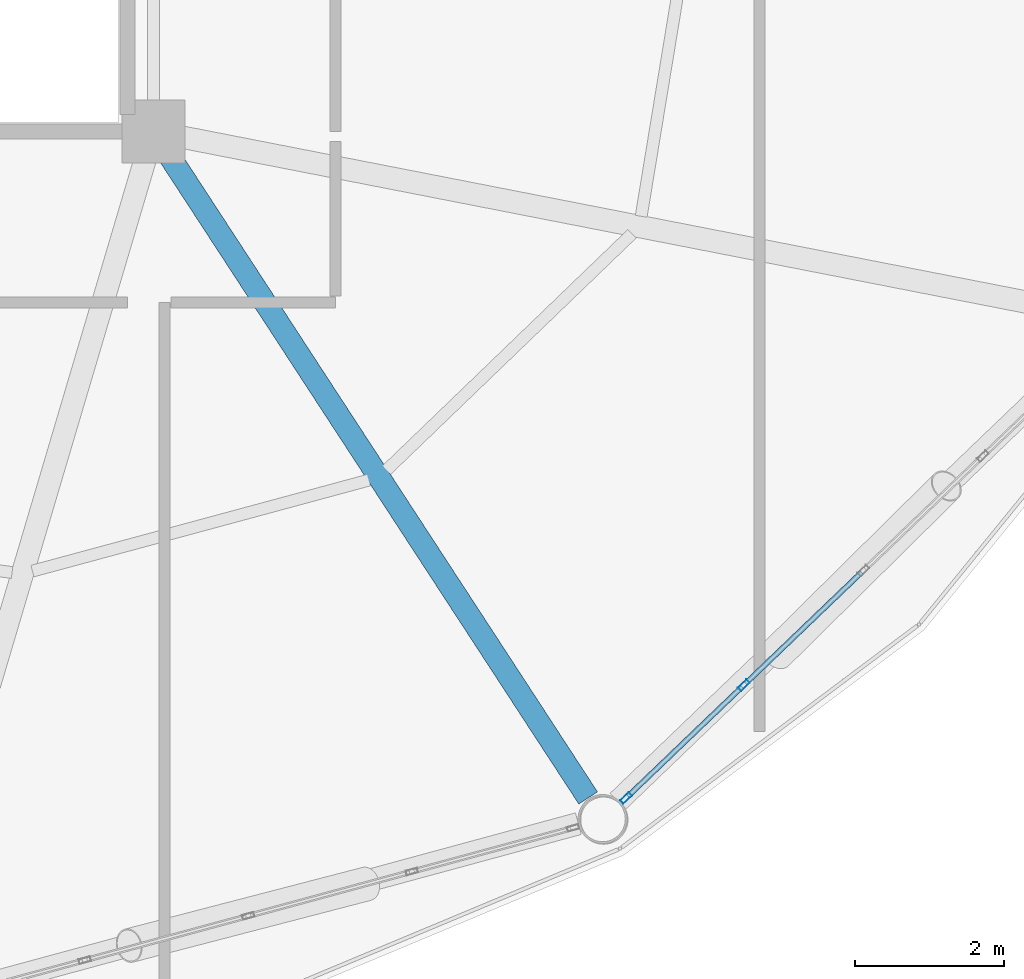
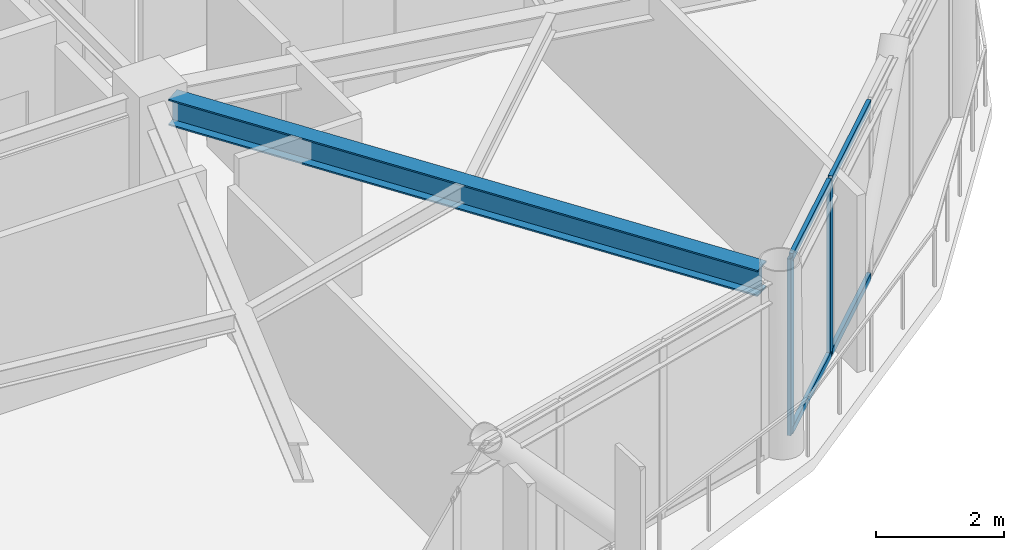
# One storey, part 9 of 28: 6 members, 1 beam, 1 element without a shape of its own.
"""IFC4 building model written with IfcOpenShell, lengths in metres."""

from ifc_helpers import new_model, si_unit, direction, frame, origin, origin_2d, place, context, subcontext, project, spatial, hollow_rectangle, i_section, extrude, material, layer, layer_set, material_profile, profile_set, type_object, element, aggregate, save


model = new_model("IFC4")

# Units and contexts
model_context = context("Model", 3, precision=1e-05, world=origin(), true_north=direction((0.0, 1.0)))
body_context = subcontext(model_context, "Body", "Model", "MODEL_VIEW")
ifc_project = project(units=[si_unit("LENGTHUNIT", "METRE"), si_unit("AREAUNIT", "SQUARE_METRE"), si_unit("VOLUMEUNIT", "CUBIC_METRE"), si_unit("PLANEANGLEUNIT", "RADIAN"), si_unit("MASSUNIT", "GRAM", prefix="KILO")], contexts=[model_context])

# Site, building, storey
site_placement = place(None, origin())
site = spatial("IfcSite", under=ifc_project, at=site_placement, CompositionType="ELEMENT")
building_placement = place(site_placement, origin())
building = spatial("IfcBuilding", under=site, at=building_placement, Name="Varnakorn Sky Granary", CompositionType="ELEMENT")
storey_placement = place(building_placement, frame((0.0, 0.0, 207.60009765625)))
storey = spatial("IfcBuildingStorey", under=building, at=storey_placement, Name="L52", CompositionType="ELEMENT", Elevation=207.60009765625)

# Beam
ifc_material_1 = material(Name="Steel S355JR", Category="steel")
ifc_material_profile_1 = material_profile(ifc_material_1, i_section(OverallWidth=0.300048828125, OverallDepth=0.5, WebThickness=0.014404296875, FlangeThickness=0.028076171875, at=origin_2d()), Name="HE 500 B")
ifc_profile_set_1 = profile_set([ifc_material_profile_1], Name="Steel S355JR")
beam_type = type_object("IfcBeamType", Name="BM-RAD-Z4", PredefinedType="BEAM", material=ifc_profile_set_1)
beam_placement = place(storey_placement, frame((8.5712890625, -6.939208984375, 3.10986328125), z_axis=(0.546339378905, -0.837563897895, 0.0), x_axis=(0.837563897895, 0.546339378905, 0.0)))
element("IfcBeam", 1, at=beam_placement, inside=storey, type_object=beam_type, Name="Radial Floor Girder RG11 L52", PredefinedType="BEAM", context=body_context, shape_type="SweptSolid", body=[
    extrude(i_section(OverallWidth=0.300048828125, OverallDepth=0.5, WebThickness=0.014404296875, FlangeThickness=0.028076171875, at=origin_2d()), origin(), (0.0, 0.0, 1.0), 10.297119140625),
])

# Curtain wall, members
ifc_material_2 = material(Name="Anodised Bronze Aluminium Alloy 6063-T6", Category="aluminium")
ifc_layer = layer(ifc_material_2, 0.169921875, Name="Anodised Bronze Aluminium Alloy 6063-T6")
ifc_layer_set = layer_set([ifc_layer], Name="Anodised Bronze Aluminium Alloy 6063-T6")
curtain_wall_type = type_object("IfcCurtainWallType", Name="CW-LAB-1", PredefinedType="USERDEFINED", material=ifc_layer_set)
curtain_wall_placement = place(storey_placement, origin())
curtain_wall = element("IfcCurtainWall", 2, at=curtain_wall_placement, inside=storey, type_object=curtain_wall_type, Name="Unitised Curtain Wall CW5 CW-L52-B11", ObjectType="CURTAIN WALL", PredefinedType="USERDEFINED")
ifc_material_profile_2 = material_profile(ifc_material_2, hollow_rectangle(XDim=0.06494140625, YDim=0.159912109375, WallThickness=0.00341796875, at=origin_2d()), Name="ALU MULL 65x160")
ifc_profile_set_2 = profile_set([ifc_material_profile_2], Name="Anodised Bronze Aluminium Alloy 6063-T6")
member_type_1 = type_object("IfcMemberType", Name="CW-LAB-1-MULL", PredefinedType="MULLION", material=ifc_profile_set_2)
member_1_placement = place(storey_placement, frame((16.29150390625, -14.04638671875, 0.0), z_axis=(0.0, 0.0, 1.0), x_axis=(0.691923166337, -0.721971143389, 0.0)))
member_1 = element("IfcMember", 3, at=member_1_placement, type_object=member_type_1, Name="CW5 mullion 4", PredefinedType="MULLION", context=body_context, shape_type="SweptSolid", body=[
    extrude(hollow_rectangle(XDim=0.06494140625, YDim=0.159912109375, WallThickness=0.00341796875, at=origin_2d()), origin(), (0.0, 0.0, 1.0), 3.35986328125),
])
member_2_placement = place(storey_placement, frame((14.70751953125, -15.564453125, 0.0), z_axis=(0.0, 0.0, 1.0), x_axis=(0.691923166337, -0.721971143389, 0.0)))
member_2 = element("IfcMember", 4, at=member_2_placement, type_object=member_type_1, Name="CW5 mullion 5", PredefinedType="MULLION", context=body_context, shape_type="SweptSolid", body=[
    extrude(hollow_rectangle(XDim=0.06494140625, YDim=0.159912109375, WallThickness=0.00341796875, at=origin_2d()), origin(), (0.0, 0.0, 1.0), 3.35986328125),
])
ifc_material_profile_3 = material_profile(ifc_material_2, hollow_rectangle(XDim=0.070068359375, YDim=0.139892578125, WallThickness=0.00341796875, at=origin_2d()), Name="ALU TRAN 70x140")
ifc_profile_set_3 = profile_set([ifc_material_profile_3], Name="Anodised Bronze Aluminium Alloy 6063-T6")
member_type_2 = type_object("IfcMemberType", Name="CW-LAB-1-TRAN", PredefinedType="USERDEFINED", material=ifc_profile_set_3)
member_3_placement = place(storey_placement, frame((17.87548828125, -12.5283203125, 0.034912109375), z_axis=(-0.721969397067, -0.691924988491, 0.0), x_axis=(0.691924988491, -0.721969397067, 0.0)))
member_3 = element("IfcMember", 5, at=member_3_placement, type_object=member_type_2, Name="CW5 transom 3.1", ObjectType="TRANSOM", PredefinedType="USERDEFINED", context=body_context, shape_type="SweptSolid", body=[
    extrude(hollow_rectangle(XDim=0.070068359375, YDim=0.139892578125, WallThickness=0.00341796875, at=origin_2d()), origin(), (0.0, 0.0, 1.0), 2.16162109375),
])
member_4_placement = place(storey_placement, frame((17.87548828125, -12.5283203125, 3.324951171875), z_axis=(-0.721969397067, -0.691924988491, 0.0), x_axis=(0.691924988491, -0.721969397067, 0.0)))
member_4 = element("IfcMember", 6, at=member_4_placement, type_object=member_type_2, Name="CW5 transom 3.2", ObjectType="TRANSOM", PredefinedType="USERDEFINED", context=body_context, shape_type="SweptSolid", body=[
    extrude(hollow_rectangle(XDim=0.070068359375, YDim=0.139892578125, WallThickness=0.00341796875, at=origin_2d()), origin(), (0.0, 0.0, 1.0), 2.16162109375),
])
member_5_placement = place(storey_placement, frame((16.26806640625, -14.06884765625, 0.034912109375), z_axis=(-0.72196911029, -0.691925287721, 0.0), x_axis=(0.691925287721, -0.72196911029, 0.0)))
member_5 = element("IfcMember", 7, at=member_5_placement, type_object=member_type_2, Name="CW5 transom 4.1", ObjectType="TRANSOM", PredefinedType="USERDEFINED", context=body_context, shape_type="SweptSolid", body=[
    extrude(hollow_rectangle(XDim=0.070068359375, YDim=0.139892578125, WallThickness=0.00341796875, at=origin_2d()), origin(), (0.0, 0.0, 1.0), 2.129150390625),
])
member_6_placement = place(storey_placement, frame((16.26806640625, -14.06884765625, 3.324951171875), z_axis=(-0.72196911029, -0.691925287721, 0.0), x_axis=(0.691925287721, -0.72196911029, 0.0)))
member_6 = element("IfcMember", 8, at=member_6_placement, type_object=member_type_2, Name="CW5 transom 4.2", ObjectType="TRANSOM", PredefinedType="USERDEFINED", context=body_context, shape_type="SweptSolid", body=[
    extrude(hollow_rectangle(XDim=0.070068359375, YDim=0.139892578125, WallThickness=0.00341796875, at=origin_2d()), origin(), (0.0, 0.0, 1.0), 2.129150390625),
])
aggregate(curtain_wall, [member_1, member_2, member_3, member_4, member_5, member_6])

save(model, "model.ifc")
